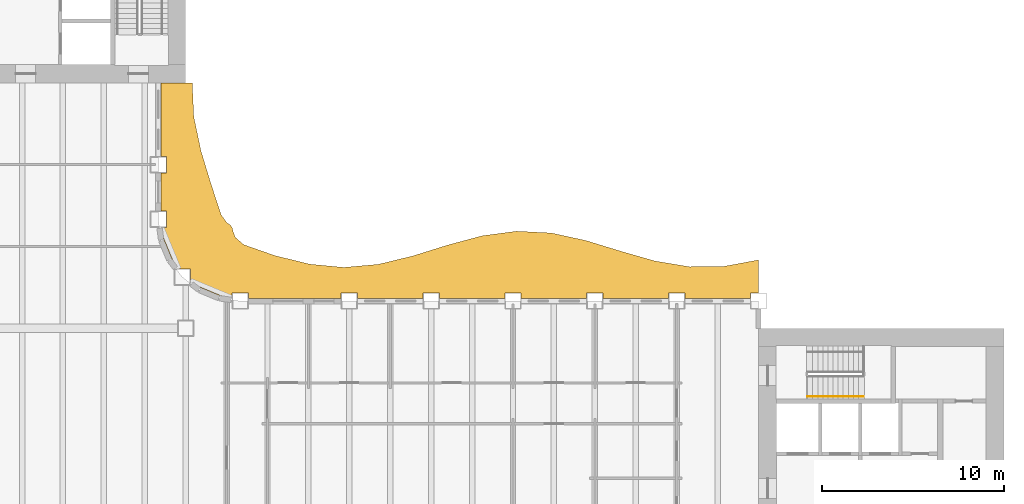
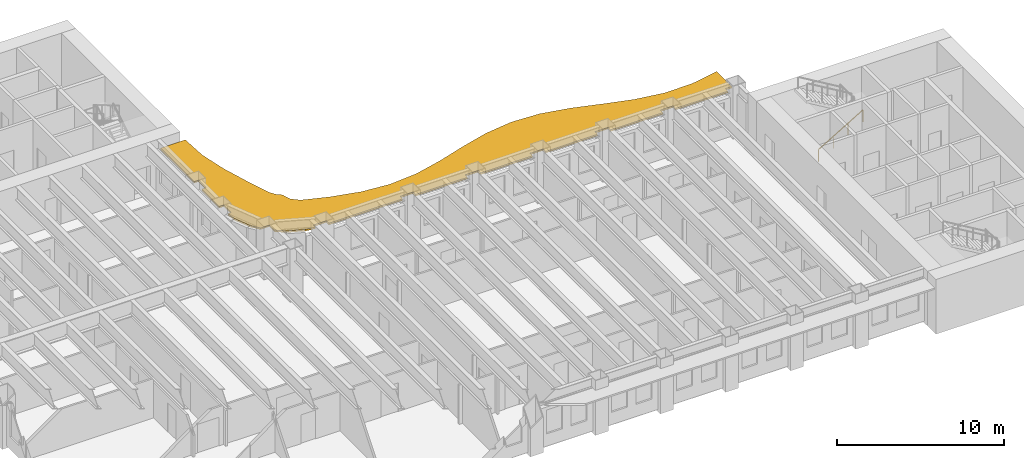
# One storey, part 14 of 16: 1 railing, 1 shading device.
"""IFC4 building model written with IfcOpenShell, lengths in metres."""

from ifc_helpers import new_model, si_unit, direction, frame, origin, origin_2d, place, context, subcontext, project, spatial, polyline, rectangle, outline, extrude, material, layer, layer_set, type_object, element, save


model = new_model("IFC4")

# Units and contexts
model_context = context("Model", 3, precision=1e-05, world=origin(), true_north=direction((0.0, 1.0)))
body_context = subcontext(model_context, "Body", "Model", "MODEL_VIEW")
ifc_project = project(units=[si_unit("LENGTHUNIT", "METRE"), si_unit("AREAUNIT", "SQUARE_METRE"), si_unit("VOLUMEUNIT", "CUBIC_METRE"), si_unit("PLANEANGLEUNIT", "RADIAN"), si_unit("MASSUNIT", "GRAM", prefix="KILO")], contexts=[model_context])

# Site, building, storey
site_placement = place(None, origin())
site = spatial("IfcSite", under=ifc_project, at=site_placement, CompositionType="ELEMENT")
building_placement = place(site_placement, origin())
building = spatial("IfcBuilding", under=site, at=building_placement, Name="Sennacour Bend Tower", CompositionType="ELEMENT")
storey_placement = place(building_placement, frame((0.0, 0.0, 167.0)))
storey = spatial("IfcBuildingStorey", under=building, at=storey_placement, Name="L38", CompositionType="ELEMENT", Elevation=167.0)

# Railing
ifc_material_1 = material(Name="Stainless steel", Category="steel")
railing_type = type_object("IfcRailingType", Name="RL-HANDRAIL-900", PredefinedType="HANDRAIL", material=ifc_material_1)
railing_placement = place(storey_placement, frame((56.699951171875, 18.75, 0.166748046875)))
element("IfcRailing", 1, at=railing_placement, inside=storey, type_object=railing_type, Name="L38 SA2 stair handrail 1", PredefinedType="HANDRAIL", context=body_context, shape_type="SweptSolid", body=[
    extrude(rectangle(XDim=0.048095703125, YDim=0.048095703125, at=origin_2d()), frame((0.0, 0.0, 0.8759765625), z_axis=(0.859308565015, 0.0, 0.511457515432), x_axis=(0.0, 1.0, 0.0)), (0.0, 0.0, 1.0), 3.58447265625),
    extrude(rectangle(XDim=0.0419921875, YDim=0.0419921875, at=origin_2d()), origin(), (0.0, 0.0, 1.0), 0.851806640625),
    extrude(rectangle(XDim=0.0419921875, YDim=0.0419921875, at=origin_2d()), frame((1.026611328125, 0.0, 0.611083984375)), (0.0, 0.0, 1.0), 0.851806640625),
    extrude(rectangle(XDim=0.0419921875, YDim=0.0419921875, at=origin_2d()), frame((2.053466796875, 0.0, 1.22216796875)), (0.0, 0.0, 1.0), 0.851806640625),
    extrude(rectangle(XDim=0.0419921875, YDim=0.0419921875, at=origin_2d()), frame((3.080078125, 0.0, 1.833251953125)), (0.0, 0.0, 1.0), 0.851806640625),
])

# Shading device
ifc_material_2 = material(Name="Bronze anodised aluminium", Category="aluminium")
ifc_layer = layer(ifc_material_2, 0.1201171875, Name="Bronze anodised aluminium", Category="aluminium")
ifc_layer_set = layer_set([ifc_layer], Name="Bronze anodised aluminium")
shading_device_type = type_object("IfcShadingDeviceType", Name="SUNSHADE BAND WAVE", PredefinedType="USERDEFINED", material=ifc_layer_set)
shading_device_placement = place(storey_placement, frame((0.0, 0.0, 3.029052734375)))
element("IfcShadingDevice", 2, at=shading_device_placement, inside=storey, type_object=shading_device_type, Name="Sunshade band L38 concave faces", ObjectType="SUNSHADE", PredefinedType="USERDEFINED", context=body_context, shape_type="SweptSolid", body=[
    extrude(outline(polyline([(53.550048828125, 24.14990234375), (49.949951171875, 24.14990234375), (49.949951171875, 24.449951171875), (49.050048828125, 24.449951171875), (49.050048828125, 24.14990234375), (45.449951171875, 24.14990234375), (45.449951171875, 24.449951171875), (44.550048828125, 24.449951171875), (44.550048828125, 24.14990234375), (40.949951171875, 24.14990234375), (40.949951171875, 24.449951171875), (40.050048828125, 24.449951171875), (40.050048828125, 24.14990234375), (36.449951171875, 24.14990234375), (36.449951171875, 24.449951171875), (35.550048828125, 24.449951171875), (35.550048828125, 24.14990234375), (31.949951171875, 24.14990234375), (31.949951171875, 24.449951171875), (31.050048828125, 24.449951171875), (31.050048828125, 24.14990234375), (25.949951171875, 24.14990234375), (25.949951171875, 24.449951171875), (25.050048828125, 24.449951171875), (25.050048828125, 24.21044921875), (24.37451171875, 24.299560546875), (23.32568359375, 24.73388671875), (22.76806640625, 25.16162109375), (22.76806640625, 25.76806640625), (22.16162109375, 25.76806640625), (21.73388671875, 26.32568359375), (21.299560546875, 27.37451171875), (21.21044921875, 28.050048828125), (21.449951171875, 28.050048828125), (21.449951171875, 28.949951171875), (21.14990234375, 28.949951171875), (21.14990234375, 31.050048828125), (21.449951171875, 31.050048828125), (21.449951171875, 31.949951171875), (21.14990234375, 31.949951171875), (21.14990234375, 36.0), (22.861572265625, 36.0), (22.946533203125, 34.125), (23.34228515625, 32.25), (23.912353515625, 30.375), (24.4609375, 28.726806640625), (24.765380859375, 28.302978515625), (24.95361328125, 28.1845703125), (25.048828125, 28.048828125), (25.10986328125, 27.82421875), (25.231201171875, 27.496337890625), (25.702880859375, 27.094970703125), (27.39990234375, 26.501953125), (29.300048828125, 26.03173828125), (31.199951171875, 25.85009765625), (33.10009765625, 26.02099609375), (35.0, 26.484130859375), (36.89990234375, 27.076416015625), (38.800048828125, 27.5888671875), (40.699951171875, 27.8408203125), (42.60009765625, 27.7431640625), (44.5, 27.33056640625), (46.39990234375, 26.74853515625), (48.300048828125, 26.202392578125), (50.199951171875, 25.884521484375), (52.10009765625, 25.906982421875), (54.0, 26.26220703125), (54.0, 24.449951171875), (53.550048828125, 24.449951171875), (53.550048828125, 24.14990234375)])), origin(), (0.0, 0.0, 1.0), 0.119873046875),
])

save(model, "model.ifc")
